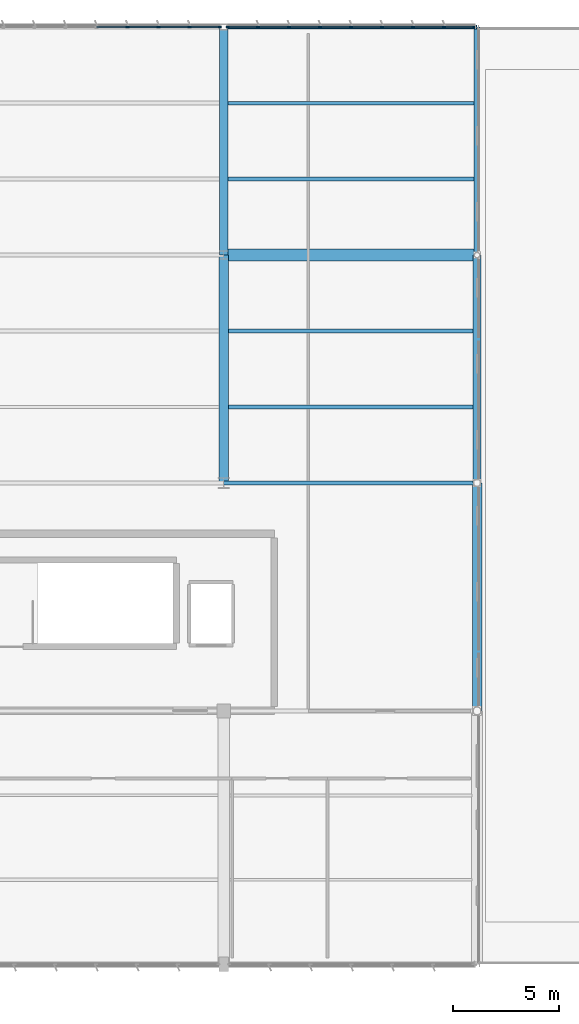
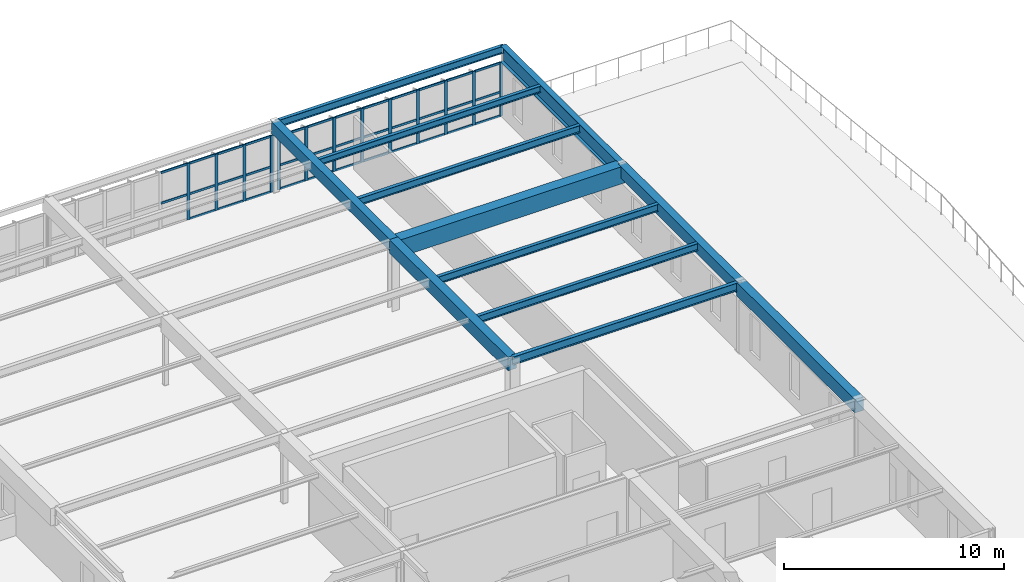
# One storey, part 66 of 128: 48 members, 12 beams, 2 elements without a shape of their own.
"""IFC4 building model written with IfcOpenShell, lengths in metres."""

import ifcopenshell
import ifcopenshell.guid

model = None  # the IFC model being written
_history = None  # IfcOwnerHistory: only IFC2X3 demands one
_inside = {}  # id of a spatial element -> (the spatial element, [elements in it])
_under = {}  # id of a project, library or spatial element -> (it, [spatial elements below it])
_declared = {}  # id of a project -> (the project, [libraries it declares])
_typed = {}  # id of a type object -> (the type object, [elements of that type])
_made_of = {}  # id of a material, layer set ... -> (it, [elements and type objects made of it])


def new_model(schema):
    """Start an empty IFC model of exactly this schema.

    Asked for "IFC4X3", IfcOpenShell would pick the latest addendum, in which some entities
    have other attributes; the version numbers below select the first issue.
    IFC2X3 requires an IfcOwnerHistory on every rooted entity: one is made here for all.
    """
    global model, _history
    if schema == "IFC4X3":
        model = ifcopenshell.file(schema_version=(4, 3, 0, 0))
    else:
        model = ifcopenshell.file(schema=schema)
    _inside.clear()
    _under.clear()
    _declared.clear()
    _typed.clear()
    _made_of.clear()
    _history = None
    if model.schema == "IFC2X3":
        org = make("IfcOrganization", Name="unknown")
        user = make(
            "IfcPersonAndOrganization",
            ThePerson=make("IfcPerson", FamilyName="unknown"),
            TheOrganization=org,
        )
        app = make(
            "IfcApplication",
            ApplicationDeveloper=org,
            Version="unknown",
            ApplicationFullName="unknown",
            ApplicationIdentifier="unknown",
        )
        _history = make(
            "IfcOwnerHistory",
            OwningUser=user,
            OwningApplication=app,
            ChangeAction="ADDED",
            CreationDate=0,
        )
    return model


def make(cls, **values):
    """One entity of the class cls with the attributes given. An attribute that is None is left unset."""
    return model.create_entity(
        cls, **{name: value for name, value in values.items() if value is not None}
    )


def rooted(cls, **values):
    """An entity with a GlobalId (a new one), such as an element, a storey or a relation."""
    return make(cls, GlobalId=ifcopenshell.guid.new(), OwnerHistory=_history, **values)


def si_unit(unit_type, name, prefix=None):
    """IfcSIUnit, for example si_unit("LENGTHUNIT", "METRE", prefix="MILLI")."""
    return make("IfcSIUnit", UnitType=unit_type, Prefix=prefix, Name=name)


def assignment(units):
    """IfcUnitAssignment: the units of a project."""
    return None if units is None else make("IfcUnitAssignment", Units=units)


def point(xyz):
    """IfcCartesianPoint."""
    return None if xyz is None else make("IfcCartesianPoint", Coordinates=xyz)


def direction(xyz):
    """IfcDirection."""
    return None if xyz is None else make("IfcDirection", DirectionRatios=xyz)


def frame(location, z_axis=None, x_axis=None):
    """IfcAxis2Placement3D, a coordinate frame: its origin and axes. An axis left out is left unset."""
    return make(
        "IfcAxis2Placement3D",
        Location=point(location),
        Axis=direction(z_axis),
        RefDirection=direction(x_axis),
    )


def frame_2d(location, x_axis=None):
    """IfcAxis2Placement2D, a coordinate frame in the plane: its origin and x axis."""
    return make(
        "IfcAxis2Placement2D", Location=point(location), RefDirection=direction(x_axis)
    )


def origin():
    """The frame at (0, 0, 0) with its axes left unset."""
    return frame((0.0, 0.0, 0.0))


def origin_2d():
    """The frame at (0, 0) in the plane with its x axis left unset."""
    return frame_2d((0.0, 0.0))


def place(relative_to, where):
    """IfcLocalPlacement: puts the frame where relative to a parent placement (None: the world)."""
    return make(
        "IfcLocalPlacement", PlacementRelTo=relative_to, RelativePlacement=where
    )


def context(
    kind, dimensions, precision=None, world=None, true_north=None, identifier=None
):
    """IfcGeometricRepresentationContext, for example the 3D "Model" context."""
    return make(
        "IfcGeometricRepresentationContext",
        ContextIdentifier=identifier,
        ContextType=kind,
        CoordinateSpaceDimension=dimensions,
        Precision=precision,
        WorldCoordinateSystem=world,
        TrueNorth=true_north,
    )


def subcontext(parent, identifier, kind, view, scale=None):
    """IfcGeometricRepresentationSubContext, for example "Body" below "Model"."""
    return make(
        "IfcGeometricRepresentationSubContext",
        ContextIdentifier=identifier,
        ContextType=kind,
        ParentContext=parent,
        TargetScale=scale,
        TargetView=view,
    )


def project(units=None, contexts=None):
    """IfcProject with its units and contexts."""
    return rooted(
        "IfcProject",
        Name="project",
        RepresentationContexts=contexts,
        UnitsInContext=assignment(units),
    )


def spatial(cls, under=None, at=None, **own):
    """A site, building, storey or space (cls), placed at a placement, below another one or the project."""
    s = rooted(cls, ObjectPlacement=at, **own)
    if under is not None:
        _under.setdefault(under.id(), (under, []))[1].append(s)
    return s


def profile(cls, at=None, kind="AREA", **sizes):
    """A parametric profile (cls). Its sizes go by their IFC names, for example OverallWidth=200.0."""
    return make(cls, ProfileType=kind, Position=at, **sizes)


def rectangle(**sizes):
    """IfcRectangleProfileDef."""
    return profile("IfcRectangleProfileDef", **sizes)


def i_section(**sizes):
    """IfcIShapeProfileDef."""
    return profile("IfcIShapeProfileDef", **sizes)


def extrude(swept, where, along, depth):
    """IfcExtrudedAreaSolid: the profile swept, set in the frame where, extruded along a direction by depth."""
    return make(
        "IfcExtrudedAreaSolid",
        SweptArea=swept,
        Position=where,
        ExtrudedDirection=direction(along),
        Depth=depth,
    )


def shape(context_of_items, identifier, shape_type, items):
    """IfcShapeRepresentation: the items that make up one representation, for example the "Body"."""
    return make(
        "IfcShapeRepresentation",
        ContextOfItems=context_of_items,
        RepresentationIdentifier=identifier,
        RepresentationType=shape_type,
        Items=items,
    )


def material(Name=None, Category=None):
    """IfcMaterial."""
    return make("IfcMaterial", Name=Name, Category=Category)


def layer(
    of_material, thickness, ventilated=None, Name=None, Category=None, Priority=None
):
    """IfcMaterialLayer: one layer of a wall or slab, of a material (None: an air gap)."""
    return make(
        "IfcMaterialLayer",
        Material=of_material,
        LayerThickness=thickness,
        IsVentilated=ventilated,
        Name=Name,
        Category=Category,
        Priority=Priority,
    )


def layer_set(layers, Name=None):
    """IfcMaterialLayerSet."""
    return make("IfcMaterialLayerSet", MaterialLayers=layers, LayerSetName=Name)


def material_profile(
    of_material, cross_section, Name=None, Category=None, Priority=None
):
    """IfcMaterialProfile: a cross section and its material."""
    return make(
        "IfcMaterialProfile",
        Name=Name,
        Material=of_material,
        Profile=cross_section,
        Priority=Priority,
        Category=Category,
    )


def profile_set(profiles, Name=None, composite=None):
    """IfcMaterialProfileSet."""
    return make(
        "IfcMaterialProfileSet",
        Name=Name,
        MaterialProfiles=profiles,
        CompositeProfile=composite,
    )


def made_of(thing, what):
    """Note that an element or type object is made of a material, layer set ...; save() writes the relation."""
    if what is not None:
        _made_of.setdefault(what.id(), (what, []))[1].append(thing)
    return thing


def type_object(cls, material=None, **own):
    """A type object (cls), such as IfcWallType, which elements share."""
    return made_of(rooted(cls, **own), material)


def element(
    cls,
    number,
    at=None,
    inside=None,
    cuts=None,
    type_object=None,
    material=None,
    context=None,
    identifier="Body",
    shape_type=None,
    held_by="IfcProductDefinitionShape",
    body=None,
    shapes=None,
    **own,
):
    """One element of the class cls, such as IfcWall. Its Tag is "e" and its number.

    at: its placement. inside: the storey or other place that contains it. cuts: it is an
    opening in that element (IfcRelVoidsElement). A single representation is given by context,
    identifier, shape_type and body (its items); several are given by shapes. held_by: the class
    of the entity that holds the representations. save() writes the other relations.
    """
    e = rooted(cls, Tag="e%d" % number, ObjectPlacement=at, **own)
    if body is not None:
        shapes = [shape(context, identifier, shape_type, body)]
    if shapes is not None:
        e.Representation = make(held_by, Representations=shapes)
    if inside is not None:
        _inside.setdefault(inside.id(), (inside, []))[1].append(e)
    if cuts is not None:
        rooted(
            "IfcRelVoidsElement", RelatingBuildingElement=cuts, RelatedOpeningElement=e
        )
    if type_object is not None:
        _typed.setdefault(type_object.id(), (type_object, []))[1].append(e)
    return made_of(e, material)


def aggregate(whole, parts):
    """IfcRelAggregates: a whole, such as a stair, and the parts it consists of."""
    return rooted("IfcRelAggregates", RelatingObject=whole, RelatedObjects=parts)


def save(model, path):
    """Write the relations noted so far, then the file.

    IfcRelAggregates (storeys below a building ...), IfcRelContainedInSpatialStructure (elements
    in a storey), IfcRelDefinesByType, IfcRelAssociatesMaterial and IfcRelDeclares: one each for
    every whole, place, type object, material and project.
    """
    for whole, parts in _under.values():
        aggregate(whole, parts)
    for where, things in _inside.values():
        rooted(
            "IfcRelContainedInSpatialStructure",
            RelatedElements=things,
            RelatingStructure=where,
        )
    for kind, things in _typed.values():
        rooted("IfcRelDefinesByType", RelatedObjects=things, RelatingType=kind)
    for what, things in _made_of.values():
        rooted("IfcRelAssociatesMaterial", RelatedObjects=things, RelatingMaterial=what)
    for by, libraries in _declared.values():
        rooted("IfcRelDeclares", RelatingContext=by, RelatedDefinitions=libraries)
    model.write(path)


model = new_model("IFC4")

# Units and contexts
model_context = context("Model", 3, precision=1e-05, world=origin(), true_north=direction((0.0, 1.0)))
body_context = subcontext(model_context, "Body", "Model", "MODEL_VIEW")
ifc_project = project(units=[si_unit("LENGTHUNIT", "METRE"), si_unit("AREAUNIT", "SQUARE_METRE"), si_unit("VOLUMEUNIT", "CUBIC_METRE"), si_unit("PLANEANGLEUNIT", "RADIAN"), si_unit("MASSUNIT", "GRAM", prefix="KILO")], contexts=[model_context])

# Site, building, storey
site_placement = place(None, origin())
site = spatial("IfcSite", under=ifc_project, at=site_placement, CompositionType="ELEMENT")
building_placement = place(site_placement, origin())
building = spatial("IfcBuilding", under=site, at=building_placement, Name="Tarnwether General Hospital", CompositionType="ELEMENT")
storey_placement = place(building_placement, frame((0.0, 0.0, 14.39990234375)))
storey = spatial("IfcBuildingStorey", under=building, at=storey_placement, Name="L03", CompositionType="ELEMENT", Elevation=14.39990234375)

# Beams
ifc_material_1 = material(Name="Steel Grade 350 (350 MPa)", Category="steel")
ifc_material_profile_1 = material_profile(ifc_material_1, i_section(OverallWidth=0.300048828125, OverallDepth=0.89990234375, WebThickness=0.011962890625, FlangeThickness=0.02001953125, at=origin_2d()), Name="900WB175")
ifc_profile_set_1 = profile_set([ifc_material_profile_1], Name="Steel Grade 350 (350 MPa)")
beam_type_1 = type_object("IfcBeamType", Name="BM-G01", PredefinedType="BEAM", material=ifc_profile_set_1)
beam_1_placement = place(storey_placement, frame((180.0, 115.199951171875, 3.4501953125), z_axis=(0.0, 1.0, 0.0), x_axis=(-1.0, 0.0, 0.0)))
element("IfcBeam", 1, at=beam_1_placement, inside=storey, type_object=beam_type_1, Name="Primary Girder BMG-L03-18000_11520-18000_12600-1813", PredefinedType="BEAM", context=body_context, shape_type="SweptSolid", body=[
    extrude(i_section(OverallWidth=0.300048828125, OverallDepth=0.89990234375, WebThickness=0.011962890625, FlangeThickness=0.02001953125, at=origin_2d()), origin(), (0.0, 0.0, 1.0), 10.800048828125),
])
ifc_material_2 = material(Name="Steel Grade 350 (350 MPa)", Category="steel")
ifc_material_profile_2 = material_profile(ifc_material_2, i_section(OverallWidth=0.18994140625, OverallDepth=0.4541015625, WebThickness=0.008544921875, FlangeThickness=0.0126953125, at=origin_2d()), Name="460UB67.1")
ifc_profile_set_2 = profile_set([ifc_material_profile_2], Name="Steel Grade 350 (350 MPa)")
beam_type_2 = type_object("IfcBeamType", Name="BM-G10", PredefinedType="BEAM", material=ifc_profile_set_2)
beam_2_placement = place(storey_placement, frame((168.0, 104.39990234375, 3.673095703125), z_axis=(1.0, 0.0, 0.0), x_axis=(0.0, 1.0, 0.0)))
element("IfcBeam", 2, at=beam_2_placement, inside=storey, type_object=beam_type_2, Name="Primary Girder BMG-L03-16800_10440-18000_10440-1801", PredefinedType="BEAM", context=body_context, shape_type="SweptSolid", body=[
    extrude(i_section(OverallWidth=0.18994140625, OverallDepth=0.4541015625, WebThickness=0.008544921875, FlangeThickness=0.0126953125, at=origin_2d()), origin(), (0.0, 0.0, 1.0), 12.0),
])
ifc_material_3 = material(Name="Concrete 40 MPa", Category="concrete")
ifc_material_profile_3 = material_profile(ifc_material_3, rectangle(XDim=0.550048828125, YDim=0.949951171875, at=origin_2d()), Name="RC-BM-550x950")
ifc_profile_set_3 = profile_set([ifc_material_profile_3], Name="Concrete 40 MPa")
beam_type_3 = type_object("IfcBeamType", Name="BM-G11", PredefinedType="BEAM", material=ifc_profile_set_3)
beam_3_placement = place(storey_placement, frame((168.0, 115.199951171875, 3.425048828125), z_axis=(1.0, 0.0, 0.0), x_axis=(0.0, 1.0, 0.0)))
element("IfcBeam", 3, at=beam_3_placement, inside=storey, type_object=beam_type_3, Name="Primary Girder BMG-L03-16800_11520-18000_11520-1803", PredefinedType="BEAM", context=body_context, shape_type="SweptSolid", body=[
    extrude(rectangle(XDim=0.550048828125, YDim=0.949951171875, at=origin_2d()), origin(), (0.0, 0.0, 1.0), 12.0),
])
ifc_material_4 = material(Name="Concrete 40 MPa", Category="concrete")
ifc_material_profile_4 = material_profile(ifc_material_4, rectangle(XDim=0.449951171875, YDim=0.75, at=origin_2d()), Name="RC-BM-450x750")
ifc_profile_set_4 = profile_set([ifc_material_profile_4], Name="Concrete 40 MPa")
beam_type_4 = type_object("IfcBeamType", Name="BM-G13", PredefinedType="BEAM", material=ifc_profile_set_4)
beam_4_placement = place(storey_placement, frame((168.0, 104.39990234375, 3.525146484375), z_axis=(0.0, 1.0, 0.0), x_axis=(-1.0, 0.0, 0.0)))
element("IfcBeam", 4, at=beam_4_placement, inside=storey, type_object=beam_type_4, Name="Primary Girder BMG-L03-16800_10440-16800_11520-1802", PredefinedType="BEAM", context=body_context, shape_type="SweptSolid", body=[
    extrude(rectangle(XDim=0.449951171875, YDim=0.75, at=origin_2d()), origin(), (0.0, 0.0, 1.0), 10.800048828125),
])
beam_5_placement = place(storey_placement, frame((180.0, 93.60009765625, 3.525146484375), z_axis=(0.0, 1.0, 0.0), x_axis=(-1.0, 0.0, 0.0)))
element("IfcBeam", 5, at=beam_5_placement, inside=storey, type_object=beam_type_4, Name="Primary Girder BMG-L03-18000_9360-18000_10440-1811", PredefinedType="BEAM", context=body_context, shape_type="SweptSolid", body=[
    extrude(rectangle(XDim=0.449951171875, YDim=0.75, at=origin_2d()), origin(), (0.0, 0.0, 1.0), 10.7998046875),
])
ifc_material_5 = material(Name="Concrete 40 MPa", Category="concrete")
ifc_material_profile_5 = material_profile(ifc_material_5, rectangle(XDim=0.39990234375, YDim=0.64990234375, at=origin_2d()), Name="RC-BM-400x650")
ifc_profile_set_5 = profile_set([ifc_material_profile_5], Name="Concrete 40 MPa")
beam_type_5 = type_object("IfcBeamType", Name="BM-G14", PredefinedType="BEAM", material=ifc_profile_set_5)
for number, where, z_axis, x_axis, name in (
    (6, (168.0, 115.199951171875, 3.5751953125), (0.0, 1.0, 0.0), (-1.0, 0.0, 0.0), "Primary Girder BMG-L03-16800_11520-16800_12600-1804"),
    (7, (180.0, 104.39990234375, 3.5751953125), (0.0, 1.0, 0.0), (-1.0, 0.0, 0.0), "Primary Girder BMG-L03-18000_10440-18000_11520-1812"),
):
    element("IfcBeam", number, at=place(storey_placement, frame(where, z_axis=z_axis, x_axis=x_axis)), inside=storey, type_object=beam_type_5, Name=name, PredefinedType="BEAM", context=body_context, shape_type="SweptSolid", body=[
        extrude(rectangle(XDim=0.39990234375, YDim=0.64990234375, at=origin_2d()), origin(), (0.0, 0.0, 1.0), 10.800048828125),
    ])
ifc_material_6 = material(Name="Steel Grade 350 (350 MPa)", Category="steel")
ifc_material_profile_6 = material_profile(ifc_material_6, i_section(OverallWidth=0.177978515625, OverallDepth=0.406005859375, WebThickness=0.0078125, FlangeThickness=0.0126953125, at=origin_2d()), Name="410UB59.7")
ifc_profile_set_6 = profile_set([ifc_material_profile_6], Name="Steel Grade 350 (350 MPa)")
beam_type_6 = type_object("IfcBeamType", Name="BM-J01", PredefinedType="JOIST", material=ifc_profile_set_6)
beam_6_placement = place(storey_placement, frame((168.218994140625, 108.0, 3.697021484375), z_axis=(1.0, 0.0, 0.0), x_axis=(0.0, 1.0, 0.0)))
element("IfcBeam", 8, at=beam_6_placement, inside=storey, type_object=beam_type_6, Name="Composite Floor Joist BMG-L03-16822_10800-17981_10800-1850", PredefinedType="JOIST", context=body_context, shape_type="SweptSolid", body=[
    extrude(i_section(OverallWidth=0.177978515625, OverallDepth=0.406005859375, WebThickness=0.0078125, FlangeThickness=0.0126953125, at=origin_2d()), origin(), (0.0, 0.0, 1.0), 11.5869140625),
])
ifc_material_7 = material(Name="Steel Grade 350 (350 MPa)", Category="steel")
ifc_material_profile_7 = material_profile(ifc_material_7, i_section(OverallWidth=0.177978515625, OverallDepth=0.403076171875, WebThickness=0.007568359375, FlangeThickness=0.010986328125, at=origin_2d()), Name="410UB53.7")
ifc_profile_set_7 = profile_set([ifc_material_profile_7], Name="Steel Grade 350 (350 MPa)")
beam_type_7 = type_object("IfcBeamType", Name="BM-J02", PredefinedType="JOIST", material=ifc_profile_set_7)
beam_7_placement = place(storey_placement, frame((168.218994140625, 111.60009765625, 3.698486328125), z_axis=(1.0, 0.0, 0.0), x_axis=(0.0, 1.0, 0.0)))
element("IfcBeam", 9, at=beam_7_placement, inside=storey, type_object=beam_type_7, Name="Composite Floor Joist BMG-L03-16822_11160-17981_11160-1851", PredefinedType="JOIST", context=body_context, shape_type="SweptSolid", body=[
    extrude(i_section(OverallWidth=0.177978515625, OverallDepth=0.403076171875, WebThickness=0.007568359375, FlangeThickness=0.010986328125, at=origin_2d()), origin(), (0.0, 0.0, 1.0), 11.5869140625),
])
beam_8_placement = place(storey_placement, frame((168.194091796875, 118.800048828125, 3.698486328125), z_axis=(1.0, 0.0, 0.0), x_axis=(0.0, 1.0, 0.0)))
element("IfcBeam", 10, at=beam_8_placement, inside=storey, type_object=beam_type_7, Name="Composite Floor Joist BMG-L03-16819_11880-17986_11880-1852", PredefinedType="JOIST", context=body_context, shape_type="SweptSolid", body=[
    extrude(i_section(OverallWidth=0.177978515625, OverallDepth=0.403076171875, WebThickness=0.007568359375, FlangeThickness=0.010986328125, at=origin_2d()), origin(), (0.0, 0.0, 1.0), 11.661865234375),
])
ifc_material_8 = material(Name="Steel Grade 350 (350 MPa)", Category="steel")
ifc_material_profile_8 = material_profile(ifc_material_8, i_section(OverallWidth=0.172119140625, OverallDepth=0.35888671875, WebThickness=0.008056640625, FlangeThickness=0.012939453125, at=origin_2d()), Name="360UB56.7")
ifc_profile_set_8 = profile_set([ifc_material_profile_8], Name="Steel Grade 350 (350 MPa)")
beam_type_8 = type_object("IfcBeamType", Name="BM-J03", PredefinedType="JOIST", material=ifc_profile_set_8)
beam_9_placement = place(storey_placement, frame((168.194091796875, 122.39990234375, 3.720703125), z_axis=(1.0, 0.0, 0.0), x_axis=(0.0, 1.0, 0.0)))
element("IfcBeam", 11, at=beam_9_placement, inside=storey, type_object=beam_type_8, Name="Composite Floor Joist BMG-L03-16819_12240-17986_12240-1853", PredefinedType="JOIST", context=body_context, shape_type="SweptSolid", body=[
    extrude(i_section(OverallWidth=0.172119140625, OverallDepth=0.35888671875, WebThickness=0.008056640625, FlangeThickness=0.012939453125, at=origin_2d()), origin(), (0.0, 0.0, 1.0), 11.661865234375),
])
ifc_material_9 = material(Name="Steel Grade 350 (350 MPa)", Category="steel")
ifc_material_profile_9 = material_profile(ifc_material_9, i_section(OverallWidth=0.177978515625, OverallDepth=0.403076171875, WebThickness=0.007568359375, FlangeThickness=0.010986328125, at=origin_2d()), Name="410UB53.7")
ifc_profile_set_9 = profile_set([ifc_material_profile_9], Name="Steel Grade 350 (350 MPa)")
beam_type_9 = type_object("IfcBeamType", Name="BM-SP2", PredefinedType="SPANDREL", material=ifc_profile_set_9)
beam_10_placement = place(storey_placement, frame((168.0, 126.0, 3.698486328125), z_axis=(1.0, 0.0, 0.0), x_axis=(0.0, 1.0, 0.0)))
element("IfcBeam", 12, at=beam_10_placement, inside=storey, type_object=beam_type_9, Name="Primary Girder BMG-L03-16800_12600-18000_12600-1805", PredefinedType="SPANDREL", context=body_context, shape_type="SweptSolid", body=[
    extrude(i_section(OverallWidth=0.177978515625, OverallDepth=0.403076171875, WebThickness=0.007568359375, FlangeThickness=0.010986328125, at=origin_2d()), origin(), (0.0, 0.0, 1.0), 12.0),
])

# Curtain wall, members
ifc_material_10 = material(Name="Anodised aluminium", Category="aluminium")
ifc_layer = layer(ifc_material_10, 0.159912109375)
ifc_layer_set = layer_set([ifc_layer], Name="Anodised aluminium")
curtain_wall_type = type_object("IfcCurtainWallType", Name="CW-16", PredefinedType="NOTDEFINED", material=ifc_layer_set)
curtain_wall_1_placement = place(storey_placement, origin())
curtain_wall_1 = element("IfcCurtainWall", 13, at=curtain_wall_1_placement, inside=storey, type_object=curtain_wall_type, Name="Curtain Wall CWG-L03-1561_1260-0483", PredefinedType="NOTDEFINED")
ifc_material_11 = material(Name="Anodised aluminium", Category="aluminium")
ifc_material_profile_10 = material_profile(ifc_material_11, rectangle(XDim=0.06005859375, YDim=0.159912109375, at=origin_2d()), Name="ALU-MUL-60x160")
ifc_profile_set_10 = profile_set([ifc_material_profile_10], Name="Anodised aluminium")
member_type_1 = type_object("IfcMemberType", Name="CW-ML1", PredefinedType="MULLION", material=ifc_profile_set_10)
member_1_placement = place(storey_placement, frame((163.432861328125, 126.0, 0.0), z_axis=(0.0, 0.0, 1.0), x_axis=(0.0, 1.0, 0.0)))
member_1 = element("IfcMember", 14, at=member_1_placement, type_object=member_type_1, Name="CW-16 mullion 6", PredefinedType="MULLION", context=body_context, shape_type="SweptSolid", body=[
    extrude(rectangle(XDim=0.06005859375, YDim=0.159912109375, at=origin_2d()), origin(), (0.0, 0.0, 1.0), 3.135009765625),
])
member_2_placement = place(storey_placement, frame((164.902587890625, 126.0, 0.0), z_axis=(0.0, 0.0, 1.0), x_axis=(0.0, 1.0, 0.0)))
member_2 = element("IfcMember", 15, at=member_2_placement, type_object=member_type_1, Name="CW-16 mullion 7", PredefinedType="MULLION", context=body_context, shape_type="SweptSolid", body=[
    extrude(rectangle(XDim=0.06005859375, YDim=0.159912109375, at=origin_2d()), origin(), (0.0, 0.0, 1.0), 3.135009765625),
])
member_3_placement = place(storey_placement, frame((166.372314453125, 126.0, 0.0), z_axis=(0.0, 0.0, 1.0), x_axis=(0.0, 1.0, 0.0)))
member_3 = element("IfcMember", 16, at=member_3_placement, type_object=member_type_1, Name="CW-16 mullion 8", PredefinedType="MULLION", context=body_context, shape_type="SweptSolid", body=[
    extrude(rectangle(XDim=0.06005859375, YDim=0.159912109375, at=origin_2d()), origin(), (0.0, 0.0, 1.0), 3.135009765625),
])
member_4_placement = place(storey_placement, frame((167.81201171875, 126.0, 0.0), z_axis=(0.0, 0.0, 1.0), x_axis=(0.0, 1.0, 0.0)))
member_4 = element("IfcMember", 17, at=member_4_placement, type_object=member_type_1, Name="CW-16 mullion 9", PredefinedType="MULLION", context=body_context, shape_type="SweptSolid", body=[
    extrude(rectangle(XDim=0.06005859375, YDim=0.159912109375, at=origin_2d()), origin(), (0.0, 0.0, 1.0), 3.135009765625),
])

curtain_wall_2_placement = place(storey_placement, origin())
curtain_wall_2 = element("IfcCurtainWall", 18, at=curtain_wall_2_placement, inside=storey, type_object=curtain_wall_type, Name="Curtain Wall CWG-L03-1682_1260-0484", PredefinedType="NOTDEFINED")
member_5_placement = place(storey_placement, frame((168.18798828125, 126.0, 0.0), z_axis=(0.0, 0.0, 1.0), x_axis=(0.0, 1.0, 0.0)))
member_5 = element("IfcMember", 19, at=member_5_placement, type_object=member_type_1, Name="CW-16 mullion 1", PredefinedType="MULLION", context=body_context, shape_type="SweptSolid", body=[
    extrude(rectangle(XDim=0.06005859375, YDim=0.159912109375, at=origin_2d()), origin(), (0.0, 0.0, 1.0), 2.985107421875),
])
member_6_placement = place(storey_placement, frame((169.627197265625, 126.0, 0.0), z_axis=(0.0, 0.0, 1.0), x_axis=(0.0, 1.0, 0.0)))
member_6 = element("IfcMember", 20, at=member_6_placement, type_object=member_type_1, Name="CW-16 mullion 2", PredefinedType="MULLION", context=body_context, shape_type="SweptSolid", body=[
    extrude(rectangle(XDim=0.06005859375, YDim=0.159912109375, at=origin_2d()), origin(), (0.0, 0.0, 1.0), 2.985107421875),
])
member_7_placement = place(storey_placement, frame((171.09619140625, 126.0, 0.0), z_axis=(0.0, 0.0, 1.0), x_axis=(0.0, 1.0, 0.0)))
member_7 = element("IfcMember", 21, at=member_7_placement, type_object=member_type_1, Name="CW-16 mullion 3", PredefinedType="MULLION", context=body_context, shape_type="SweptSolid", body=[
    extrude(rectangle(XDim=0.06005859375, YDim=0.159912109375, at=origin_2d()), origin(), (0.0, 0.0, 1.0), 2.985107421875),
])
member_8_placement = place(storey_placement, frame((172.5654296875, 126.0, 0.0), z_axis=(0.0, 0.0, 1.0), x_axis=(0.0, 1.0, 0.0)))
member_8 = element("IfcMember", 22, at=member_8_placement, type_object=member_type_1, Name="CW-16 mullion 4", PredefinedType="MULLION", context=body_context, shape_type="SweptSolid", body=[
    extrude(rectangle(XDim=0.06005859375, YDim=0.159912109375, at=origin_2d()), origin(), (0.0, 0.0, 1.0), 2.985107421875),
])
member_9_placement = place(storey_placement, frame((174.034423828125, 126.0, 0.0), z_axis=(0.0, 0.0, 1.0), x_axis=(0.0, 1.0, 0.0)))
member_9 = element("IfcMember", 23, at=member_9_placement, type_object=member_type_1, Name="CW-16 mullion 5", PredefinedType="MULLION", context=body_context, shape_type="SweptSolid", body=[
    extrude(rectangle(XDim=0.06005859375, YDim=0.159912109375, at=origin_2d()), origin(), (0.0, 0.0, 1.0), 2.985107421875),
])
member_10_placement = place(storey_placement, frame((175.503662109375, 126.0, 0.0), z_axis=(0.0, 0.0, 1.0), x_axis=(0.0, 1.0, 0.0)))
member_10 = element("IfcMember", 24, at=member_10_placement, type_object=member_type_1, Name="CW-16 mullion 6", PredefinedType="MULLION", context=body_context, shape_type="SweptSolid", body=[
    extrude(rectangle(XDim=0.06005859375, YDim=0.159912109375, at=origin_2d()), origin(), (0.0, 0.0, 1.0), 2.985107421875),
])
member_11_placement = place(storey_placement, frame((176.97265625, 126.0, 0.0), z_axis=(0.0, 0.0, 1.0), x_axis=(0.0, 1.0, 0.0)))
member_11 = element("IfcMember", 25, at=member_11_placement, type_object=member_type_1, Name="CW-16 mullion 7", PredefinedType="MULLION", context=body_context, shape_type="SweptSolid", body=[
    extrude(rectangle(XDim=0.06005859375, YDim=0.159912109375, at=origin_2d()), origin(), (0.0, 0.0, 1.0), 2.985107421875),
])
member_12_placement = place(storey_placement, frame((178.44189453125, 126.0, 0.0), z_axis=(0.0, 0.0, 1.0), x_axis=(0.0, 1.0, 0.0)))
member_12 = element("IfcMember", 26, at=member_12_placement, type_object=member_type_1, Name="CW-16 mullion 8", PredefinedType="MULLION", context=body_context, shape_type="SweptSolid", body=[
    extrude(rectangle(XDim=0.06005859375, YDim=0.159912109375, at=origin_2d()), origin(), (0.0, 0.0, 1.0), 2.985107421875),
])
member_13_placement = place(storey_placement, frame((179.881103515625, 126.0, 0.0), z_axis=(0.0, 0.0, 1.0), x_axis=(0.0, 1.0, 0.0)))
member_13 = element("IfcMember", 27, at=member_13_placement, type_object=member_type_1, Name="CW-16 mullion 9", PredefinedType="MULLION", context=body_context, shape_type="SweptSolid", body=[
    extrude(rectangle(XDim=0.06005859375, YDim=0.159912109375, at=origin_2d()), origin(), (0.0, 0.0, 1.0), 2.985107421875),
])

# Member
ifc_material_12 = material(Name="Anodised aluminium", Category="aluminium")
ifc_material_profile_11 = material_profile(ifc_material_12, rectangle(XDim=0.06005859375, YDim=0.1201171875, at=origin_2d()), Name="ALU-TRN-60x120")
ifc_profile_set_11 = profile_set([ifc_material_profile_11], Name="Anodised aluminium")
member_type_2 = type_object("IfcMemberType", Name="CW-TR1", PredefinedType="USERDEFINED", material=ifc_profile_set_11)
member_14_placement = place(storey_placement, frame((161.992919921875, 126.0, 1.410888671875), z_axis=(1.0, 0.0, 0.0), x_axis=(0.0, 1.0, 0.0)))
member_14 = element("IfcMember", 28, at=member_14_placement, type_object=member_type_2, Name="CW-16 transom 5.2", ObjectType="TRANSOM", PredefinedType="USERDEFINED", context=body_context, shape_type="SweptSolid", body=[
    extrude(rectangle(XDim=0.06005859375, YDim=0.1201171875, at=origin_2d()), origin(), (0.0, 0.0, 1.0), 1.409912109375),
])

member_15_placement = place(storey_placement, frame((161.992919921875, 126.0, 3.10498046875), z_axis=(1.0, 0.0, 0.0), x_axis=(0.0, 1.0, 0.0)))
member_15 = element("IfcMember", 29, at=member_15_placement, type_object=member_type_2, Name="CW-16 transom 5.3", ObjectType="TRANSOM", PredefinedType="USERDEFINED", context=body_context, shape_type="SweptSolid", body=[
    extrude(rectangle(XDim=0.06005859375, YDim=0.1201171875, at=origin_2d()), origin(), (0.0, 0.0, 1.0), 1.409912109375),
])

member_16_placement = place(storey_placement, frame((163.462646484375, 126.0, 0.030029296875), z_axis=(1.0, 0.0, 0.0), x_axis=(0.0, 1.0, 0.0)))
member_16 = element("IfcMember", 30, at=member_16_placement, type_object=member_type_2, Name="CW-16 transom 6.1", ObjectType="TRANSOM", PredefinedType="USERDEFINED", context=body_context, shape_type="SweptSolid", body=[
    extrude(rectangle(XDim=0.06005859375, YDim=0.1201171875, at=origin_2d()), origin(), (0.0, 0.0, 1.0), 1.409912109375),
])

member_17_placement = place(storey_placement, frame((163.462646484375, 126.0, 1.410888671875), z_axis=(1.0, 0.0, 0.0), x_axis=(0.0, 1.0, 0.0)))
member_17 = element("IfcMember", 31, at=member_17_placement, type_object=member_type_2, Name="CW-16 transom 6.2", ObjectType="TRANSOM", PredefinedType="USERDEFINED", context=body_context, shape_type="SweptSolid", body=[
    extrude(rectangle(XDim=0.06005859375, YDim=0.1201171875, at=origin_2d()), origin(), (0.0, 0.0, 1.0), 1.409912109375),
])

member_18_placement = place(storey_placement, frame((163.462646484375, 126.0, 3.10498046875), z_axis=(1.0, 0.0, 0.0), x_axis=(0.0, 1.0, 0.0)))
member_18 = element("IfcMember", 32, at=member_18_placement, type_object=member_type_2, Name="CW-16 transom 6.3", ObjectType="TRANSOM", PredefinedType="USERDEFINED", context=body_context, shape_type="SweptSolid", body=[
    extrude(rectangle(XDim=0.06005859375, YDim=0.1201171875, at=origin_2d()), origin(), (0.0, 0.0, 1.0), 1.409912109375),
])

member_19_placement = place(storey_placement, frame((164.9326171875, 126.0, 0.030029296875), z_axis=(1.0, 0.0, 0.0), x_axis=(0.0, 1.0, 0.0)))
member_19 = element("IfcMember", 33, at=member_19_placement, type_object=member_type_2, Name="CW-16 transom 7.1", ObjectType="TRANSOM", PredefinedType="USERDEFINED", context=body_context, shape_type="SweptSolid", body=[
    extrude(rectangle(XDim=0.06005859375, YDim=0.1201171875, at=origin_2d()), origin(), (0.0, 0.0, 1.0), 1.40966796875),
])

member_20_placement = place(storey_placement, frame((164.9326171875, 126.0, 1.410888671875), z_axis=(1.0, 0.0, 0.0), x_axis=(0.0, 1.0, 0.0)))
member_20 = element("IfcMember", 34, at=member_20_placement, type_object=member_type_2, Name="CW-16 transom 7.2", ObjectType="TRANSOM", PredefinedType="USERDEFINED", context=body_context, shape_type="SweptSolid", body=[
    extrude(rectangle(XDim=0.06005859375, YDim=0.1201171875, at=origin_2d()), origin(), (0.0, 0.0, 1.0), 1.40966796875),
])

member_21_placement = place(storey_placement, frame((164.9326171875, 126.0, 3.10498046875), z_axis=(1.0, 0.0, 0.0), x_axis=(0.0, 1.0, 0.0)))
member_21 = element("IfcMember", 35, at=member_21_placement, type_object=member_type_2, Name="CW-16 transom 7.3", ObjectType="TRANSOM", PredefinedType="USERDEFINED", context=body_context, shape_type="SweptSolid", body=[
    extrude(rectangle(XDim=0.06005859375, YDim=0.1201171875, at=origin_2d()), origin(), (0.0, 0.0, 1.0), 1.40966796875),
])

member_22_placement = place(storey_placement, frame((166.40234375, 126.0, 0.030029296875), z_axis=(1.0, 0.0, 0.0), x_axis=(0.0, 1.0, 0.0)))
member_22 = element("IfcMember", 36, at=member_22_placement, type_object=member_type_2, Name="CW-16 transom 8.1", ObjectType="TRANSOM", PredefinedType="USERDEFINED", context=body_context, shape_type="SweptSolid", body=[
    extrude(rectangle(XDim=0.06005859375, YDim=0.1201171875, at=origin_2d()), origin(), (0.0, 0.0, 1.0), 1.379638671875),
])

member_23_placement = place(storey_placement, frame((166.40234375, 126.0, 1.410888671875), z_axis=(1.0, 0.0, 0.0), x_axis=(0.0, 1.0, 0.0)))
member_23 = element("IfcMember", 37, at=member_23_placement, type_object=member_type_2, Name="CW-16 transom 8.2", ObjectType="TRANSOM", PredefinedType="USERDEFINED", context=body_context, shape_type="SweptSolid", body=[
    extrude(rectangle(XDim=0.06005859375, YDim=0.1201171875, at=origin_2d()), origin(), (0.0, 0.0, 1.0), 1.379638671875),
])

member_24_placement = place(storey_placement, frame((166.40234375, 126.0, 3.10498046875), z_axis=(1.0, 0.0, 0.0), x_axis=(0.0, 1.0, 0.0)))
member_24 = element("IfcMember", 38, at=member_24_placement, type_object=member_type_2, Name="CW-16 transom 8.3", ObjectType="TRANSOM", PredefinedType="USERDEFINED", context=body_context, shape_type="SweptSolid", body=[
    extrude(rectangle(XDim=0.06005859375, YDim=0.1201171875, at=origin_2d()), origin(), (0.0, 0.0, 1.0), 1.379638671875),
])

aggregate(curtain_wall_1, [member_1, member_2, member_3, member_4, member_14, member_15, member_16, member_17, member_18, member_19, member_20, member_21, member_22, member_23, member_24])

member_25_placement = place(storey_placement, frame((168.218017578125, 126.0, 0.030029296875), z_axis=(1.0, 0.0, 0.0), x_axis=(0.0, 1.0, 0.0)))
member_25 = element("IfcMember", 39, at=member_25_placement, type_object=member_type_2, Name="CW-16 transom 1.1", ObjectType="TRANSOM", PredefinedType="USERDEFINED", context=body_context, shape_type="SweptSolid", body=[
    extrude(rectangle(XDim=0.06005859375, YDim=0.1201171875, at=origin_2d()), origin(), (0.0, 0.0, 1.0), 1.379150390625),
])

member_26_placement = place(storey_placement, frame((168.218017578125, 126.0, 1.343505859375), z_axis=(1.0, 0.0, 0.0), x_axis=(0.0, 1.0, 0.0)))
member_26 = element("IfcMember", 40, at=member_26_placement, type_object=member_type_2, Name="CW-16 transom 1.2", ObjectType="TRANSOM", PredefinedType="USERDEFINED", context=body_context, shape_type="SweptSolid", body=[
    extrude(rectangle(XDim=0.06005859375, YDim=0.1201171875, at=origin_2d()), origin(), (0.0, 0.0, 1.0), 1.379150390625),
])

member_27_placement = place(storey_placement, frame((168.218017578125, 126.0, 2.955078125), z_axis=(1.0, 0.0, 0.0), x_axis=(0.0, 1.0, 0.0)))
member_27 = element("IfcMember", 41, at=member_27_placement, type_object=member_type_2, Name="CW-16 transom 1.3", ObjectType="TRANSOM", PredefinedType="USERDEFINED", context=body_context, shape_type="SweptSolid", body=[
    extrude(rectangle(XDim=0.06005859375, YDim=0.1201171875, at=origin_2d()), origin(), (0.0, 0.0, 1.0), 1.379150390625),
])

member_28_placement = place(storey_placement, frame((169.6572265625, 126.0, 0.030029296875), z_axis=(1.0, 0.0, 0.0), x_axis=(0.0, 1.0, 0.0)))
member_28 = element("IfcMember", 42, at=member_28_placement, type_object=member_type_2, Name="CW-16 transom 2.1", ObjectType="TRANSOM", PredefinedType="USERDEFINED", context=body_context, shape_type="SweptSolid", body=[
    extrude(rectangle(XDim=0.06005859375, YDim=0.1201171875, at=origin_2d()), origin(), (0.0, 0.0, 1.0), 1.408935546875),
])

member_29_placement = place(storey_placement, frame((169.6572265625, 126.0, 1.343505859375), z_axis=(1.0, 0.0, 0.0), x_axis=(0.0, 1.0, 0.0)))
member_29 = element("IfcMember", 43, at=member_29_placement, type_object=member_type_2, Name="CW-16 transom 2.2", ObjectType="TRANSOM", PredefinedType="USERDEFINED", context=body_context, shape_type="SweptSolid", body=[
    extrude(rectangle(XDim=0.06005859375, YDim=0.1201171875, at=origin_2d()), origin(), (0.0, 0.0, 1.0), 1.408935546875),
])

member_30_placement = place(storey_placement, frame((169.6572265625, 126.0, 2.955078125), z_axis=(1.0, 0.0, 0.0), x_axis=(0.0, 1.0, 0.0)))
member_30 = element("IfcMember", 44, at=member_30_placement, type_object=member_type_2, Name="CW-16 transom 2.3", ObjectType="TRANSOM", PredefinedType="USERDEFINED", context=body_context, shape_type="SweptSolid", body=[
    extrude(rectangle(XDim=0.06005859375, YDim=0.1201171875, at=origin_2d()), origin(), (0.0, 0.0, 1.0), 1.408935546875),
])

member_31_placement = place(storey_placement, frame((171.126220703125, 126.0, 0.030029296875), z_axis=(1.0, 0.0, 0.0), x_axis=(0.0, 1.0, 0.0)))
member_31 = element("IfcMember", 45, at=member_31_placement, type_object=member_type_2, Name="CW-16 transom 3.1", ObjectType="TRANSOM", PredefinedType="USERDEFINED", context=body_context, shape_type="SweptSolid", body=[
    extrude(rectangle(XDim=0.06005859375, YDim=0.1201171875, at=origin_2d()), origin(), (0.0, 0.0, 1.0), 1.4091796875),
])

member_32_placement = place(storey_placement, frame((171.126220703125, 126.0, 1.343505859375), z_axis=(1.0, 0.0, 0.0), x_axis=(0.0, 1.0, 0.0)))
member_32 = element("IfcMember", 46, at=member_32_placement, type_object=member_type_2, Name="CW-16 transom 3.2", ObjectType="TRANSOM", PredefinedType="USERDEFINED", context=body_context, shape_type="SweptSolid", body=[
    extrude(rectangle(XDim=0.06005859375, YDim=0.1201171875, at=origin_2d()), origin(), (0.0, 0.0, 1.0), 1.4091796875),
])

member_33_placement = place(storey_placement, frame((171.126220703125, 126.0, 2.955078125), z_axis=(1.0, 0.0, 0.0), x_axis=(0.0, 1.0, 0.0)))
member_33 = element("IfcMember", 47, at=member_33_placement, type_object=member_type_2, Name="CW-16 transom 3.3", ObjectType="TRANSOM", PredefinedType="USERDEFINED", context=body_context, shape_type="SweptSolid", body=[
    extrude(rectangle(XDim=0.06005859375, YDim=0.1201171875, at=origin_2d()), origin(), (0.0, 0.0, 1.0), 1.4091796875),
])

member_34_placement = place(storey_placement, frame((172.595458984375, 126.0, 0.030029296875), z_axis=(1.0, 0.0, 0.0), x_axis=(0.0, 1.0, 0.0)))
member_34 = element("IfcMember", 48, at=member_34_placement, type_object=member_type_2, Name="CW-16 transom 4.1", ObjectType="TRANSOM", PredefinedType="USERDEFINED", context=body_context, shape_type="SweptSolid", body=[
    extrude(rectangle(XDim=0.06005859375, YDim=0.1201171875, at=origin_2d()), origin(), (0.0, 0.0, 1.0), 1.408935546875),
])

member_35_placement = place(storey_placement, frame((172.595458984375, 126.0, 1.343505859375), z_axis=(1.0, 0.0, 0.0), x_axis=(0.0, 1.0, 0.0)))
member_35 = element("IfcMember", 49, at=member_35_placement, type_object=member_type_2, Name="CW-16 transom 4.2", ObjectType="TRANSOM", PredefinedType="USERDEFINED", context=body_context, shape_type="SweptSolid", body=[
    extrude(rectangle(XDim=0.06005859375, YDim=0.1201171875, at=origin_2d()), origin(), (0.0, 0.0, 1.0), 1.408935546875),
])

member_36_placement = place(storey_placement, frame((172.595458984375, 126.0, 2.955078125), z_axis=(1.0, 0.0, 0.0), x_axis=(0.0, 1.0, 0.0)))
member_36 = element("IfcMember", 50, at=member_36_placement, type_object=member_type_2, Name="CW-16 transom 4.3", ObjectType="TRANSOM", PredefinedType="USERDEFINED", context=body_context, shape_type="SweptSolid", body=[
    extrude(rectangle(XDim=0.06005859375, YDim=0.1201171875, at=origin_2d()), origin(), (0.0, 0.0, 1.0), 1.408935546875),
])

member_37_placement = place(storey_placement, frame((174.064453125, 126.0, 0.030029296875), z_axis=(1.0, 0.0, 0.0), x_axis=(0.0, 1.0, 0.0)))
member_37 = element("IfcMember", 51, at=member_37_placement, type_object=member_type_2, Name="CW-16 transom 5.1", ObjectType="TRANSOM", PredefinedType="USERDEFINED", context=body_context, shape_type="SweptSolid", body=[
    extrude(rectangle(XDim=0.06005859375, YDim=0.1201171875, at=origin_2d()), origin(), (0.0, 0.0, 1.0), 1.4091796875),
])

member_38_placement = place(storey_placement, frame((174.064453125, 126.0, 1.343505859375), z_axis=(1.0, 0.0, 0.0), x_axis=(0.0, 1.0, 0.0)))
member_38 = element("IfcMember", 52, at=member_38_placement, type_object=member_type_2, Name="CW-16 transom 5.2", ObjectType="TRANSOM", PredefinedType="USERDEFINED", context=body_context, shape_type="SweptSolid", body=[
    extrude(rectangle(XDim=0.06005859375, YDim=0.1201171875, at=origin_2d()), origin(), (0.0, 0.0, 1.0), 1.4091796875),
])

member_39_placement = place(storey_placement, frame((174.064453125, 126.0, 2.955078125), z_axis=(1.0, 0.0, 0.0), x_axis=(0.0, 1.0, 0.0)))
member_39 = element("IfcMember", 53, at=member_39_placement, type_object=member_type_2, Name="CW-16 transom 5.3", ObjectType="TRANSOM", PredefinedType="USERDEFINED", context=body_context, shape_type="SweptSolid", body=[
    extrude(rectangle(XDim=0.06005859375, YDim=0.1201171875, at=origin_2d()), origin(), (0.0, 0.0, 1.0), 1.4091796875),
])

member_40_placement = place(storey_placement, frame((175.53369140625, 126.0, 0.030029296875), z_axis=(1.0, 0.0, 0.0), x_axis=(0.0, 1.0, 0.0)))
member_40 = element("IfcMember", 54, at=member_40_placement, type_object=member_type_2, Name="CW-16 transom 6.1", ObjectType="TRANSOM", PredefinedType="USERDEFINED", context=body_context, shape_type="SweptSolid", body=[
    extrude(rectangle(XDim=0.06005859375, YDim=0.1201171875, at=origin_2d()), origin(), (0.0, 0.0, 1.0), 1.4091796875),
])

member_41_placement = place(storey_placement, frame((175.53369140625, 126.0, 1.343505859375), z_axis=(1.0, 0.0, 0.0), x_axis=(0.0, 1.0, 0.0)))
member_41 = element("IfcMember", 55, at=member_41_placement, type_object=member_type_2, Name="CW-16 transom 6.2", ObjectType="TRANSOM", PredefinedType="USERDEFINED", context=body_context, shape_type="SweptSolid", body=[
    extrude(rectangle(XDim=0.06005859375, YDim=0.1201171875, at=origin_2d()), origin(), (0.0, 0.0, 1.0), 1.4091796875),
])

member_42_placement = place(storey_placement, frame((175.53369140625, 126.0, 2.955078125), z_axis=(1.0, 0.0, 0.0), x_axis=(0.0, 1.0, 0.0)))
member_42 = element("IfcMember", 56, at=member_42_placement, type_object=member_type_2, Name="CW-16 transom 6.3", ObjectType="TRANSOM", PredefinedType="USERDEFINED", context=body_context, shape_type="SweptSolid", body=[
    extrude(rectangle(XDim=0.06005859375, YDim=0.1201171875, at=origin_2d()), origin(), (0.0, 0.0, 1.0), 1.4091796875),
])

member_43_placement = place(storey_placement, frame((177.002685546875, 126.0, 0.030029296875), z_axis=(1.0, 0.0, 0.0), x_axis=(0.0, 1.0, 0.0)))
member_43 = element("IfcMember", 57, at=member_43_placement, type_object=member_type_2, Name="CW-16 transom 7.1", ObjectType="TRANSOM", PredefinedType="USERDEFINED", context=body_context, shape_type="SweptSolid", body=[
    extrude(rectangle(XDim=0.06005859375, YDim=0.1201171875, at=origin_2d()), origin(), (0.0, 0.0, 1.0), 1.4091796875),
])

member_44_placement = place(storey_placement, frame((177.002685546875, 126.0, 1.343505859375), z_axis=(1.0, 0.0, 0.0), x_axis=(0.0, 1.0, 0.0)))
member_44 = element("IfcMember", 58, at=member_44_placement, type_object=member_type_2, Name="CW-16 transom 7.2", ObjectType="TRANSOM", PredefinedType="USERDEFINED", context=body_context, shape_type="SweptSolid", body=[
    extrude(rectangle(XDim=0.06005859375, YDim=0.1201171875, at=origin_2d()), origin(), (0.0, 0.0, 1.0), 1.4091796875),
])

member_45_placement = place(storey_placement, frame((177.002685546875, 126.0, 2.955078125), z_axis=(1.0, 0.0, 0.0), x_axis=(0.0, 1.0, 0.0)))
member_45 = element("IfcMember", 59, at=member_45_placement, type_object=member_type_2, Name="CW-16 transom 7.3", ObjectType="TRANSOM", PredefinedType="USERDEFINED", context=body_context, shape_type="SweptSolid", body=[
    extrude(rectangle(XDim=0.06005859375, YDim=0.1201171875, at=origin_2d()), origin(), (0.0, 0.0, 1.0), 1.4091796875),
])

member_46_placement = place(storey_placement, frame((178.471923828125, 126.0, 0.030029296875), z_axis=(1.0, 0.0, 0.0), x_axis=(0.0, 1.0, 0.0)))
member_46 = element("IfcMember", 60, at=member_46_placement, type_object=member_type_2, Name="CW-16 transom 8.1", ObjectType="TRANSOM", PredefinedType="USERDEFINED", context=body_context, shape_type="SweptSolid", body=[
    extrude(rectangle(XDim=0.06005859375, YDim=0.1201171875, at=origin_2d()), origin(), (0.0, 0.0, 1.0), 1.379150390625),
])

member_47_placement = place(storey_placement, frame((178.471923828125, 126.0, 1.343505859375), z_axis=(1.0, 0.0, 0.0), x_axis=(0.0, 1.0, 0.0)))
member_47 = element("IfcMember", 61, at=member_47_placement, type_object=member_type_2, Name="CW-16 transom 8.2", ObjectType="TRANSOM", PredefinedType="USERDEFINED", context=body_context, shape_type="SweptSolid", body=[
    extrude(rectangle(XDim=0.06005859375, YDim=0.1201171875, at=origin_2d()), origin(), (0.0, 0.0, 1.0), 1.379150390625),
])

member_48_placement = place(storey_placement, frame((178.471923828125, 126.0, 2.955078125), z_axis=(1.0, 0.0, 0.0), x_axis=(0.0, 1.0, 0.0)))
member_48 = element("IfcMember", 62, at=member_48_placement, type_object=member_type_2, Name="CW-16 transom 8.3", ObjectType="TRANSOM", PredefinedType="USERDEFINED", context=body_context, shape_type="SweptSolid", body=[
    extrude(rectangle(XDim=0.06005859375, YDim=0.1201171875, at=origin_2d()), origin(), (0.0, 0.0, 1.0), 1.379150390625),
])

aggregate(curtain_wall_2, [member_5, member_6, member_7, member_8, member_9, member_10, member_11, member_12, member_13, member_25, member_26, member_27, member_28, member_29, member_30, member_31, member_32, member_33, member_34, member_35, member_36, member_37, member_38, member_39, member_40, member_41, member_42, member_43, member_44, member_45, member_46, member_47, member_48])

save(model, "model.ifc")
